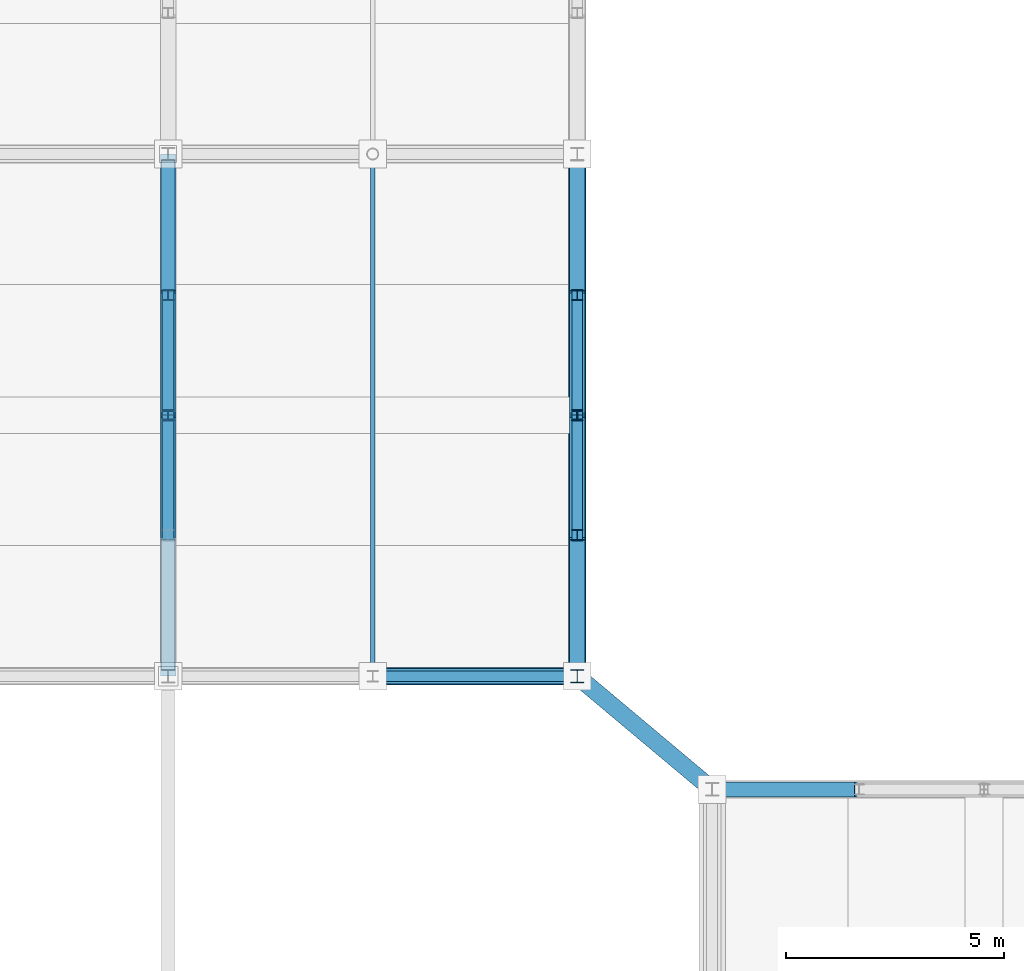
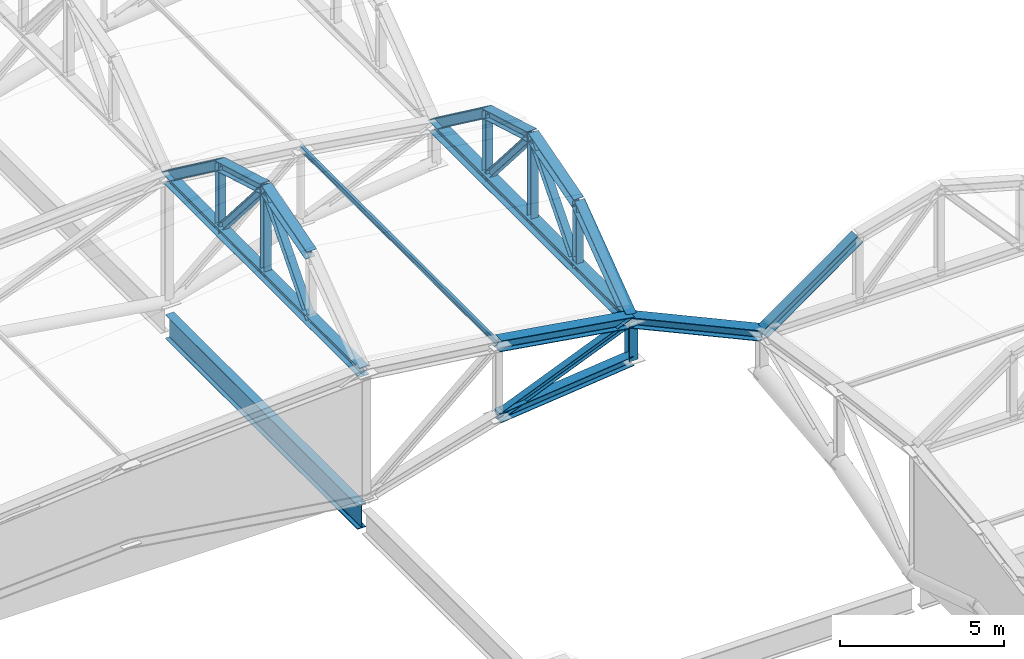
# One storey, part 13 of 117: 25 members, 1 beam.
"""IFC4 building model written with IfcOpenShell, lengths in metres."""

from ifc_helpers import new_model, si_unit, direction, frame, origin, origin_2d, place, context, subcontext, project, spatial, i_section, extrude, material, material_profile, profile_set, type_object, element, save


model = new_model("IFC4")

# Units and contexts
model_context = context("Model", 3, precision=1e-05, world=origin(), true_north=direction((0.0, 1.0)))
body_context = subcontext(model_context, "Body", "Model", "MODEL_VIEW")
ifc_project = project(units=[si_unit("LENGTHUNIT", "METRE"), si_unit("AREAUNIT", "SQUARE_METRE"), si_unit("VOLUMEUNIT", "CUBIC_METRE"), si_unit("PLANEANGLEUNIT", "RADIAN"), si_unit("MASSUNIT", "GRAM", prefix="KILO")], contexts=[model_context])

# Site, building, storey
site_placement = place(None, origin())
site = spatial("IfcSite", under=ifc_project, at=site_placement, CompositionType="ELEMENT")
building_placement = place(site_placement, origin())
building = spatial("IfcBuilding", under=site, at=building_placement, Name="Kazenohara Klinker Stadium", CompositionType="ELEMENT")
storey_placement = place(building_placement, frame((0.0, 0.0, 31.199951171875)))
storey = spatial("IfcBuildingStorey", under=building, at=storey_placement, Name="RF", CompositionType="ELEMENT", Elevation=31.199951171875)

# Members
ifc_material = material(Name="Steel S355", Category="steel")
ifc_material_profile_1 = material_profile(ifc_material, i_section(OverallWidth=0.25, OverallDepth=0.25, WebThickness=0.009033203125, FlangeThickness=0.013916015625, FilletRadius=0.012939453125, at=origin_2d()), Name="H-250x250x9x14")
ifc_profile_set_1 = profile_set([ifc_material_profile_1], Name="Steel S355")
member_type_1 = type_object("IfcMemberType", Name="MEM-BRC02", PredefinedType="BRACE", material=ifc_profile_set_1)
member_1_placement = place(storey_placement, frame((53.699951171875, 48.0, 1.35009765625), z_axis=(0.923659284192, 0.0, 0.383214726655), x_axis=(0.0, 1.0, 0.0)))
element("IfcMember", 1, at=member_1_placement, inside=storey, type_object=member_type_1, Name="ROOF TRUSS RT-W01 web diagonal 5", PredefinedType="BRACE", context=body_context, shape_type="SweptSolid", body=[
    extrude(i_section(OverallWidth=0.25, OverallDepth=0.25, WebThickness=0.009033203125, FlangeThickness=0.013916015625, FilletRadius=0.012939453125, at=origin_2d()), origin(), (0.0, 0.0, 1.0), 5.08837890625),
])
ifc_material_profile_2 = material_profile(ifc_material, i_section(OverallWidth=0.39990234375, OverallDepth=0.39990234375, WebThickness=0.012939453125, FlangeThickness=0.02099609375, FilletRadius=0.02197265625, at=origin_2d()), Name="H-400x400x13x21")
ifc_profile_set_2 = profile_set([ifc_material_profile_2], Name="Steel S355")
member_type_2 = type_object("IfcMemberType", Name="MEM-CHD01", PredefinedType="CHORD", material=ifc_profile_set_2)
member_2_placement = place(storey_placement, frame((53.699951171875, 48.0, 4.050048828125), z_axis=(0.987505848374, 0.0, -0.157582357602), x_axis=(0.0, 1.0, 0.0)))
element("IfcMember", 2, at=member_2_placement, inside=storey, type_object=member_type_2, Name="ROOF TRUSS RT-W01 top arched chord 5", PredefinedType="CHORD", context=body_context, shape_type="SweptSolid", body=[
    extrude(i_section(OverallWidth=0.39990234375, OverallDepth=0.39990234375, WebThickness=0.012939453125, FlangeThickness=0.02099609375, FilletRadius=0.02197265625, at=origin_2d()), origin(), (0.0, 0.0, 1.0), 4.759521484375),
])
member_3_placement = place(storey_placement, frame((58.39990234375, 48.0, 3.300048828125), z_axis=(0.0, 1.0, 0.0), x_axis=(-1.0, 0.0, 0.0)))
element("IfcMember", 3, at=member_3_placement, inside=storey, type_object=member_type_2, Name="Inner tension ring chord TC01 segment 01", PredefinedType="CHORD", context=body_context, shape_type="SweptSolid", body=[
    extrude(i_section(OverallWidth=0.39990234375, OverallDepth=0.39990234375, WebThickness=0.012939453125, FlangeThickness=0.02099609375, FilletRadius=0.02197265625, at=origin_2d()), origin(), (0.0, 0.0, 1.0), 12.0),
])
member_4_placement = place(storey_placement, frame((61.5, 45.39990234375, 3.300048828125), z_axis=(-0.766189626416, 0.642614547277, 0.0), x_axis=(-0.642614547277, -0.766189626416, 0.0)))
element("IfcMember", 4, at=member_4_placement, inside=storey, type_object=member_type_2, Name="Inner tension ring chord TC01 segment 32", PredefinedType="CHORD", context=body_context, shape_type="SweptSolid", body=[
    extrude(i_section(OverallWidth=0.39990234375, OverallDepth=0.39990234375, WebThickness=0.012939453125, FlangeThickness=0.02099609375, FilletRadius=0.02197265625, at=origin_2d()), origin(), (0.0, 0.0, 1.0), 4.046142578125),
])
ifc_material_profile_3 = material_profile(ifc_material, i_section(OverallWidth=0.35009765625, OverallDepth=0.35009765625, WebThickness=0.011962890625, FlangeThickness=0.01904296875, FilletRadius=0.012939453125, at=origin_2d()), Name="H-350x350x12x19")
ifc_profile_set_3 = profile_set([ifc_material_profile_3], Name="Steel S355")
member_type_3 = type_object("IfcMemberType", Name="MEM-CHD02", PredefinedType="CHORD", material=ifc_profile_set_3)
member_5_placement = place(storey_placement, frame((53.699951171875, 48.0, 1.35009765625), z_axis=(0.99438879757, 0.0, 0.105787141313), x_axis=(0.0, 1.0, 0.0)))
element("IfcMember", 5, at=member_5_placement, inside=storey, type_object=member_type_3, Name="ROOF TRUSS RT-W01 bottom arched chord 5", PredefinedType="CHORD", context=body_context, shape_type="SweptSolid", body=[
    extrude(i_section(OverallWidth=0.35009765625, OverallDepth=0.35009765625, WebThickness=0.011962890625, FlangeThickness=0.01904296875, FilletRadius=0.012939453125, at=origin_2d()), origin(), (0.0, 0.0, 1.0), 4.7265625),
])
member_6_placement = place(storey_placement, frame((49.0, 48.0, 4.650146484375), z_axis=(0.0, 1.0, 0.0), x_axis=(-1.0, 0.0, 0.0)))
element("IfcMember", 6, at=member_6_placement, inside=storey, type_object=member_type_3, Name="Barrel arch tie chord TC02 W-01-N3", PredefinedType="CHORD", context=body_context, shape_type="SweptSolid", body=[
    extrude(i_section(OverallWidth=0.35009765625, OverallDepth=0.35009765625, WebThickness=0.011962890625, FlangeThickness=0.01904296875, FilletRadius=0.012939453125, at=origin_2d()), origin(), (0.0, 0.0, 1.0), 12.0),
])
for number, where, z_axis, x_axis, name in (
    (7, (49.0, 51.239990234375, 7.050048828125), (0.0, 0.960462085918, 0.27841081429), (-1.0, 0.0, 0.0), "Barrel arch top rib TC02 W-01-N3-S2"),
    (8, (49.0, 54.0, 7.85009765625), (0.0, 0.960462085918, -0.27841081429), (-1.0, 0.0, 0.0), "Barrel arch top rib TC02 W-01-N3-S3"),
):
    element("IfcMember", number, at=place(storey_placement, frame(where, z_axis=z_axis, x_axis=x_axis)), inside=storey, type_object=member_type_3, Name=name, PredefinedType="CHORD", context=body_context, shape_type="SweptSolid", body=[
        extrude(i_section(OverallWidth=0.35009765625, OverallDepth=0.35009765625, WebThickness=0.011962890625, FlangeThickness=0.01904296875, FilletRadius=0.012939453125, at=origin_2d()), origin(), (0.0, 0.0, 1.0), 2.87353515625),
    ])
for number, where, z_axis, x_axis, name in (
    (9, (49.0, 56.760009765625, 7.050048828125), (0.0, 0.803567919639, -0.595213069856), (-1.0, 0.0, 0.0), "Barrel arch top rib TC02 W-01-N3-S4"),
    (10, (58.39990234375, 48.0, 3.300048828125), (0.0, 0.803567919639, 0.595213069856), (-1.0, 0.0, 0.0), "Barrel arch top rib TC02 W-01-N5-S1"),
):
    element("IfcMember", number, at=place(storey_placement, frame(where, z_axis=z_axis, x_axis=x_axis)), inside=storey, type_object=member_type_3, Name=name, PredefinedType="CHORD", context=body_context, shape_type="SweptSolid", body=[
        extrude(i_section(OverallWidth=0.35009765625, OverallDepth=0.35009765625, WebThickness=0.011962890625, FlangeThickness=0.01904296875, FilletRadius=0.012939453125, at=origin_2d()), origin(), (0.0, 0.0, 1.0), 4.031982421875),
    ])
for number, where, z_axis, x_axis, name in (
    (11, (58.39990234375, 51.239990234375, 5.699951171875), (0.0, 0.960462085918, 0.27841081429), (-1.0, 0.0, 0.0), "Barrel arch top rib TC02 W-01-N5-S2"),
    (12, (58.39990234375, 54.0, 6.5), (0.0, 0.960462085918, -0.27841081429), (-1.0, 0.0, 0.0), "Barrel arch top rib TC02 W-01-N5-S3"),
):
    element("IfcMember", number, at=place(storey_placement, frame(where, z_axis=z_axis, x_axis=x_axis)), inside=storey, type_object=member_type_3, Name=name, PredefinedType="CHORD", context=body_context, shape_type="SweptSolid", body=[
        extrude(i_section(OverallWidth=0.35009765625, OverallDepth=0.35009765625, WebThickness=0.011962890625, FlangeThickness=0.01904296875, FilletRadius=0.012939453125, at=origin_2d()), origin(), (0.0, 0.0, 1.0), 2.87353515625),
    ])
member_7_placement = place(storey_placement, frame((58.39990234375, 56.760009765625, 5.699951171875), z_axis=(0.0, 0.803567919639, -0.595213069856), x_axis=(-1.0, 0.0, 0.0)))
element("IfcMember", 13, at=member_7_placement, inside=storey, type_object=member_type_3, Name="Barrel arch top rib TC02 W-01-N5-S4", PredefinedType="CHORD", context=body_context, shape_type="SweptSolid", body=[
    extrude(i_section(OverallWidth=0.35009765625, OverallDepth=0.35009765625, WebThickness=0.011962890625, FlangeThickness=0.01904296875, FilletRadius=0.012939453125, at=origin_2d()), origin(), (0.0, 0.0, 1.0), 4.031982421875),
])
member_8_placement = place(storey_placement, frame((61.5, 45.39990234375, 3.300048828125), z_axis=(0.814966461491, 0.0, 0.579508124744), x_axis=(0.0, 1.0, 0.0)))
element("IfcMember", 14, at=member_8_placement, inside=storey, type_object=member_type_3, Name="Barrel arch top rib TC02 S-01-N5-S1", PredefinedType="CHORD", context=body_context, shape_type="SweptSolid", body=[
    extrude(i_section(OverallWidth=0.35009765625, OverallDepth=0.35009765625, WebThickness=0.011962890625, FlangeThickness=0.01904296875, FilletRadius=0.012939453125, at=origin_2d()), origin(), (0.0, 0.0, 1.0), 4.141357421875),
])
ifc_material_profile_4 = material_profile(ifc_material, i_section(OverallWidth=0.10009765625, OverallDepth=0.199951171875, WebThickness=0.005615234375, FlangeThickness=0.008056640625, FilletRadius=0.008056640625, at=origin_2d()), Name="H-200x100x5.5x8")
ifc_profile_set_4 = profile_set([ifc_material_profile_4], Name="Steel S355")
member_type_4 = type_object("IfcMemberType", Name="MEM-PUR02", PredefinedType="PURLIN", material=ifc_profile_set_4)
member_9_placement = place(storey_placement, frame((53.699951171875, 48.0, 4.070068359375), z_axis=(0.0, 1.0, 0.0), x_axis=(-1.0, 0.0, 0.0)))
element("IfcMember", 15, at=member_9_placement, inside=storey, type_object=member_type_4, Name="Canopy valley tie purlin PR02 W-01-N4", PredefinedType="PURLIN", context=body_context, shape_type="SweptSolid", body=[
    extrude(i_section(OverallWidth=0.10009765625, OverallDepth=0.199951171875, WebThickness=0.005615234375, FlangeThickness=0.008056640625, FilletRadius=0.008056640625, at=origin_2d()), origin(), (0.0, 0.0, 1.0), 12.0),
])
ifc_material_profile_5 = material_profile(ifc_material, i_section(OverallWidth=0.300048828125, OverallDepth=0.300048828125, WebThickness=0.010009765625, FlangeThickness=0.014892578125, FilletRadius=0.012939453125, at=origin_2d()), Name="H-300x300x10x15")
ifc_profile_set_5 = profile_set([ifc_material_profile_5], Name="Steel S355")
member_type_5 = type_object("IfcMemberType", Name="MEM-STR01", PredefinedType="STRUT", material=ifc_profile_set_5)
member_10_placement = place(storey_placement, frame((58.39990234375, 48.0, 1.85009765625), z_axis=(0.0, 0.0, 1.0), x_axis=(1.0, 0.0, 0.0)))
element("IfcMember", 16, at=member_10_placement, inside=storey, type_object=member_type_5, Name="ROOF TRUSS RT-W01 web post 6", PredefinedType="STRUT", context=body_context, shape_type="SweptSolid", body=[
    extrude(i_section(OverallWidth=0.300048828125, OverallDepth=0.300048828125, WebThickness=0.010009765625, FlangeThickness=0.014892578125, FilletRadius=0.012939453125, at=origin_2d()), origin(), (0.0, 0.0, 1.0), 1.449951171875),
])
ifc_material_profile_6 = material_profile(ifc_material, i_section(OverallWidth=0.25, OverallDepth=0.25, WebThickness=0.009033203125, FlangeThickness=0.013916015625, FilletRadius=0.012939453125, at=origin_2d()), Name="H-250x250x9x14")
ifc_profile_set_6 = profile_set([ifc_material_profile_6], Name="Steel S355")
member_type_6 = type_object("IfcMemberType", Name="MEM-STR02", PredefinedType="STRUT", material=ifc_profile_set_6)
member_11_placement = place(storey_placement, frame((49.0, 54.0, 4.650146484375), z_axis=(0.0, 0.0, 1.0), x_axis=(1.0, 0.0, 0.0)))
element("IfcMember", 17, at=member_11_placement, inside=storey, type_object=member_type_6, Name="Barrel arch web post TS02 W-01-N3-P2", PredefinedType="STRUT", context=body_context, shape_type="SweptSolid", body=[
    extrude(i_section(OverallWidth=0.25, OverallDepth=0.25, WebThickness=0.009033203125, FlangeThickness=0.013916015625, FilletRadius=0.012939453125, at=origin_2d()), origin(), (0.0, 0.0, 1.0), 3.199951171875),
])
member_12_placement = place(storey_placement, frame((49.0, 56.760009765625, 4.650146484375), z_axis=(0.0, 0.0, 1.0), x_axis=(1.0, 0.0, 0.0)))
element("IfcMember", 18, at=member_12_placement, inside=storey, type_object=member_type_6, Name="Barrel arch web post TS02 W-01-N3-P3", PredefinedType="STRUT", context=body_context, shape_type="SweptSolid", body=[
    extrude(i_section(OverallWidth=0.25, OverallDepth=0.25, WebThickness=0.009033203125, FlangeThickness=0.013916015625, FilletRadius=0.012939453125, at=origin_2d()), origin(), (0.0, 0.0, 1.0), 2.39990234375),
])
for number, where, z_axis, x_axis, name in (
    (19, (49.0, 51.239990234375, 4.650146484375), (0.0, 0.653133887971, 0.757242447558), (-1.0, 0.0, 0.0), "Barrel arch web diagonal TS02 W-01-N3-D1"),
    (20, (49.0, 56.760009765625, 4.650146484375), (0.0, -0.653133887971, 0.757242447558), (1.0, 0.0, 0.0), "Barrel arch web diagonal TS02 W-01-N3-D2"),
):
    element("IfcMember", number, at=place(storey_placement, frame(where, z_axis=z_axis, x_axis=x_axis)), inside=storey, type_object=member_type_6, Name=name, PredefinedType="STRUT", context=body_context, shape_type="SweptSolid", body=[
        extrude(i_section(OverallWidth=0.25, OverallDepth=0.25, WebThickness=0.009033203125, FlangeThickness=0.013916015625, FilletRadius=0.012939453125, at=origin_2d()), origin(), (0.0, 0.0, 1.0), 4.225830078125),
    ])
member_13_placement = place(storey_placement, frame((58.39990234375, 51.239990234375, 3.300048828125), z_axis=(0.0, 0.0, 1.0), x_axis=(1.0, 0.0, 0.0)))
element("IfcMember", 21, at=member_13_placement, inside=storey, type_object=member_type_6, Name="Barrel arch web post TS02 W-01-N5-P1", PredefinedType="STRUT", context=body_context, shape_type="SweptSolid", body=[
    extrude(i_section(OverallWidth=0.25, OverallDepth=0.25, WebThickness=0.009033203125, FlangeThickness=0.013916015625, FilletRadius=0.012939453125, at=origin_2d()), origin(), (0.0, 0.0, 1.0), 2.39990234375),
])
member_14_placement = place(storey_placement, frame((58.39990234375, 54.0, 3.300048828125), z_axis=(0.0, 0.0, 1.0), x_axis=(1.0, 0.0, 0.0)))
element("IfcMember", 22, at=member_14_placement, inside=storey, type_object=member_type_6, Name="Barrel arch web post TS02 W-01-N5-P2", PredefinedType="STRUT", context=body_context, shape_type="SweptSolid", body=[
    extrude(i_section(OverallWidth=0.25, OverallDepth=0.25, WebThickness=0.009033203125, FlangeThickness=0.013916015625, FilletRadius=0.012939453125, at=origin_2d()), origin(), (0.0, 0.0, 1.0), 3.199951171875),
])
member_15_placement = place(storey_placement, frame((58.39990234375, 56.760009765625, 3.300048828125), z_axis=(0.0, 0.0, 1.0), x_axis=(1.0, 0.0, 0.0)))
element("IfcMember", 23, at=member_15_placement, inside=storey, type_object=member_type_6, Name="Barrel arch web post TS02 W-01-N5-P3", PredefinedType="STRUT", context=body_context, shape_type="SweptSolid", body=[
    extrude(i_section(OverallWidth=0.25, OverallDepth=0.25, WebThickness=0.009033203125, FlangeThickness=0.013916015625, FilletRadius=0.012939453125, at=origin_2d()), origin(), (0.0, 0.0, 1.0), 2.39990234375),
])
for number, where, z_axis, x_axis, name in (
    (24, (58.39990234375, 51.239990234375, 3.300048828125), (0.0, 0.653133887971, 0.757242447558), (-1.0, 0.0, 0.0), "Barrel arch web diagonal TS02 W-01-N5-D1"),
    (25, (58.39990234375, 56.760009765625, 3.300048828125), (0.0, -0.653133887971, 0.757242447558), (1.0, 0.0, 0.0), "Barrel arch web diagonal TS02 W-01-N5-D2"),
):
    element("IfcMember", number, at=place(storey_placement, frame(where, z_axis=z_axis, x_axis=x_axis)), inside=storey, type_object=member_type_6, Name=name, PredefinedType="STRUT", context=body_context, shape_type="SweptSolid", body=[
        extrude(i_section(OverallWidth=0.25, OverallDepth=0.25, WebThickness=0.009033203125, FlangeThickness=0.013916015625, FilletRadius=0.012939453125, at=origin_2d()), origin(), (0.0, 0.0, 1.0), 4.225830078125),
    ])

# Beam
ifc_material_profile_7 = material_profile(ifc_material, i_section(OverallWidth=0.300048828125, OverallDepth=0.89990234375, WebThickness=0.01611328125, FlangeThickness=0.028076171875, FilletRadius=0.02197265625, at=origin_2d()), Name="H-900x300x16x28")
ifc_profile_set_7 = profile_set([ifc_material_profile_7], Name="Steel S355")
beam_type = type_object("IfcBeamType", Name="RING-RB01", PredefinedType="USERDEFINED", material=ifc_profile_set_7)
beam_placement = place(storey_placement, frame((49.0, 48.139892578125, -0.820068359375), z_axis=(0.0, 1.0, 0.0), x_axis=(-1.0, 0.0, 0.0)))
element("IfcBeam", 26, at=beam_placement, inside=storey, type_object=beam_type, Name="Roof ring beam RB01 W-IN E-F", ObjectType="RING BEAM", PredefinedType="USERDEFINED", context=body_context, shape_type="SweptSolid", body=[
    extrude(i_section(OverallWidth=0.300048828125, OverallDepth=0.89990234375, WebThickness=0.01611328125, FlangeThickness=0.028076171875, FilletRadius=0.02197265625, at=origin_2d()), origin(), (0.0, 0.0, 1.0), 11.72021484375),
])

save(model, "model.ifc")
